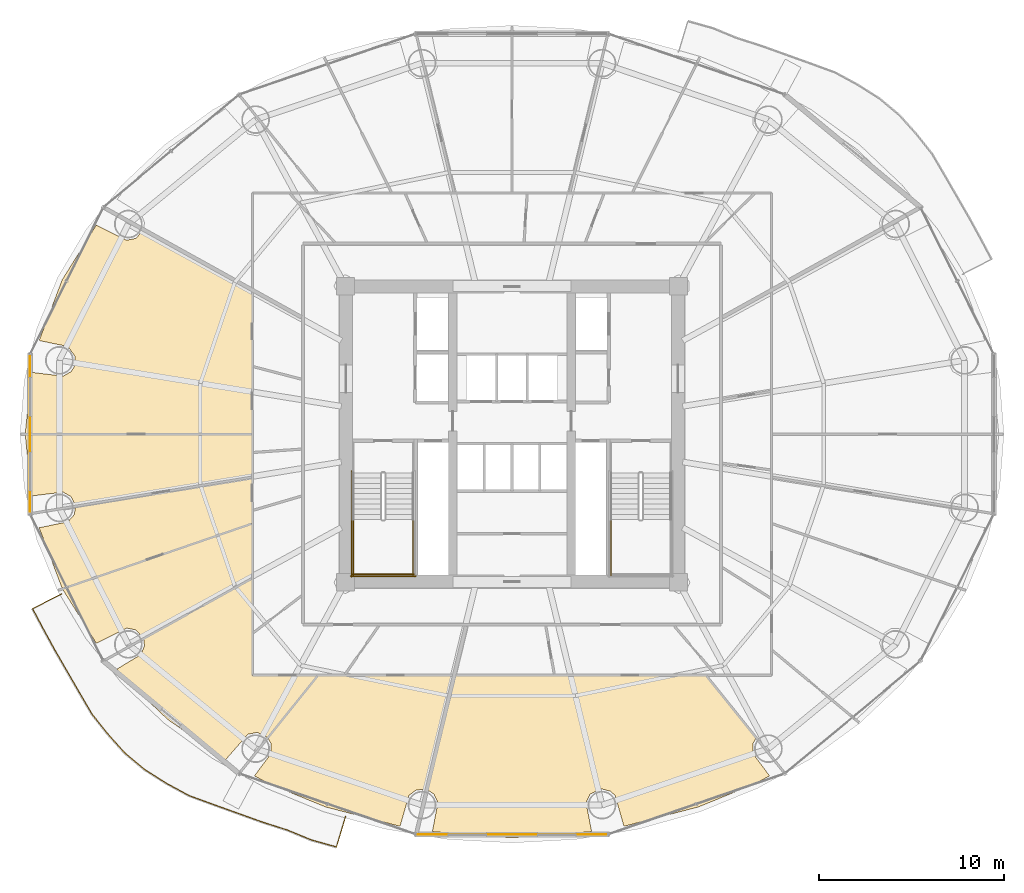
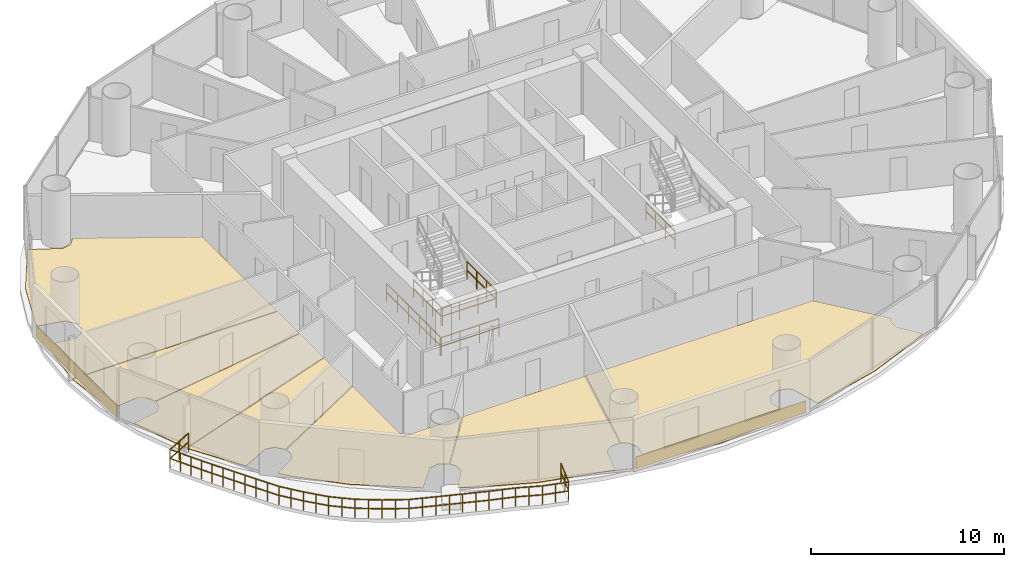
# One storey, part 26 of 29: 9 coverings, 7 railings.
"""IFC4 building model written with IfcOpenShell, lengths in metres."""

from ifc_helpers import new_model, si_unit, direction, frame, origin, origin_2d, place, context, subcontext, project, spatial, polyline, rectangle, outline, extrude, source, transform, mapped, material, layer, layer_set, type_object, element, save


model = new_model("IFC4")

# Units and contexts
model_context = context("Model", 3, precision=1e-05, world=origin(), true_north=direction((-0.2419218956, 0.970295726276)))
body_context = subcontext(model_context, "Body", "Model", "MODEL_VIEW")
ifc_project = project(units=[si_unit("LENGTHUNIT", "METRE"), si_unit("AREAUNIT", "SQUARE_METRE"), si_unit("VOLUMEUNIT", "CUBIC_METRE"), si_unit("PLANEANGLEUNIT", "RADIAN"), si_unit("MASSUNIT", "GRAM", prefix="KILO")], contexts=[model_context])

# Site, building, storey
site_placement = place(None, origin())
site = spatial("IfcSite", under=ifc_project, at=site_placement, CompositionType="ELEMENT")
building_placement = place(site_placement, origin())
building = spatial("IfcBuilding", under=site, at=building_placement, Name="Cobrevalo Terracotta Tower", CompositionType="ELEMENT")
storey_placement = place(building_placement, frame((0.0, 0.0, 94.199951171875)))
storey = spatial("IfcBuildingStorey", under=building, at=storey_placement, Name="L24", CompositionType="ELEMENT", Elevation=94.199951171875)

# Railing
ifc_material_1 = material(Name="Laminated structural glass and stainless steel", Category="steel")
railing_type_1 = type_object("IfcRailingType", Name="Balcony lobe structural glass & terracotta-cap balustrade 1180 mm", PredefinedType="BALUSTRADE", material=ifc_material_1)
railing_1_placement = place(storey_placement, frame((13.63623046875, 18.15966796875, 0.0)))
element("IfcRailing", 1, at=railing_1_placement, inside=storey, type_object=railing_type_1, Name="L24 spiralling balcony lobe balustrade 2", PredefinedType="BALUSTRADE", context=body_context, shape_type="SweptSolid", body=[
    extrude(rectangle(XDim=0.048095703125, YDim=0.048095703125, at=origin_2d()), frame((0.0, 0.0, 1.15576171875), z_axis=(-0.889626848492, -0.456688154479, 0.0), x_axis=(0.456688154479, -0.889626848492, 0.0)), (0.0, 0.0, 1.0), 1.74755859375),
    extrude(rectangle(XDim=0.048095703125, YDim=0.048095703125, at=origin_2d()), frame((0.0, 0.0, 0.58984375), z_axis=(-0.889626848492, -0.456688154479, 0.0), x_axis=(0.456688154479, -0.889626848492, 0.0)), (0.0, 0.0, 1.0), 1.74755859375),
    extrude(rectangle(XDim=0.048095703125, YDim=0.048095703125, at=origin_2d()), frame((-1.5546875, -0.798095703125, 1.15576171875), z_axis=(0.468633662304, -0.883392602729, 0.0), x_axis=(0.883392602729, 0.468633662304, 0.0)), (0.0, 0.0, 1.0), 1.27783203125),
    extrude(rectangle(XDim=0.048095703125, YDim=0.048095703125, at=origin_2d()), frame((-1.5546875, -0.798095703125, 0.58984375), z_axis=(0.468633662304, -0.883392602729, 0.0), x_axis=(0.883392602729, 0.468633662304, 0.0)), (0.0, 0.0, 1.0), 1.27783203125),
    extrude(rectangle(XDim=0.048095703125, YDim=0.048095703125, at=origin_2d()), frame((-0.955810546875, -1.927001953125, 1.15576171875), z_axis=(0.480426273641, -0.877035116512, 0.0), x_axis=(0.877035116512, 0.480426273641, 0.0)), (0.0, 0.0, 1.0), 1.28173828125),
    extrude(rectangle(XDim=0.048095703125, YDim=0.048095703125, at=origin_2d()), frame((-0.955810546875, -1.927001953125, 0.58984375), z_axis=(0.480426273641, -0.877035116512, 0.0), x_axis=(0.877035116512, 0.480426273641, 0.0)), (0.0, 0.0, 1.0), 1.28173828125),
    extrude(rectangle(XDim=0.048095703125, YDim=0.048095703125, at=origin_2d()), frame((-0.340087890625, -3.051025390625, 1.15576171875), z_axis=(0.499906209203, -0.866079547155, 0.0), x_axis=(0.866079547155, 0.499906209203, 0.0)), (0.0, 0.0, 1.0), 1.303466796875),
    extrude(rectangle(XDim=0.048095703125, YDim=0.048095703125, at=origin_2d()), frame((-0.340087890625, -3.051025390625, 0.58984375), z_axis=(0.499906209203, -0.866079547155, 0.0), x_axis=(0.866079547155, 0.499906209203, 0.0)), (0.0, 0.0, 1.0), 1.303466796875),
    extrude(rectangle(XDim=0.048095703125, YDim=0.048095703125, at=origin_2d()), frame((0.3115234375, -4.179931640625, 1.15576171875), z_axis=(0.499648403338, -0.866228303072, 0.0), x_axis=(0.866228303072, 0.499648403338, 0.0)), (0.0, 0.0, 1.0), 1.33203125),
    extrude(rectangle(XDim=0.048095703125, YDim=0.048095703125, at=origin_2d()), frame((0.3115234375, -4.179931640625, 0.58984375), z_axis=(0.499648403338, -0.866228303072, 0.0), x_axis=(0.866228303072, 0.499648403338, 0.0)), (0.0, 0.0, 1.0), 1.33203125),
    extrude(rectangle(XDim=0.048095703125, YDim=0.048095703125, at=origin_2d()), frame((0.97705078125, -5.333740234375, 1.15576171875), z_axis=(0.505608393494, -0.862763091717, 0.0), x_axis=(0.862763091717, 0.505608393494, 0.0)), (0.0, 0.0, 1.0), 1.353515625),
    extrude(rectangle(XDim=0.048095703125, YDim=0.048095703125, at=origin_2d()), frame((0.97705078125, -5.333740234375, 0.58984375), z_axis=(0.505608393494, -0.862763091717, 0.0), x_axis=(0.862763091717, 0.505608393494, 0.0)), (0.0, 0.0, 1.0), 1.353515625),
    extrude(rectangle(XDim=0.048095703125, YDim=0.048095703125, at=origin_2d()), frame((1.661376953125, -6.50146484375, 1.15576171875), z_axis=(0.621760131668, -0.783207723831, 0.0), x_axis=(0.783207723831, 0.621760131668, 0.0)), (0.0, 0.0, 1.0), 1.37158203125),
    extrude(rectangle(XDim=0.048095703125, YDim=0.048095703125, at=origin_2d()), frame((1.661376953125, -6.50146484375, 0.58984375), z_axis=(0.621760131668, -0.783207723831, 0.0), x_axis=(0.783207723831, 0.621760131668, 0.0)), (0.0, 0.0, 1.0), 1.37158203125),
    extrude(rectangle(XDim=0.048095703125, YDim=0.048095703125, at=origin_2d()), frame((2.51416015625, -7.57568359375, 1.15576171875), z_axis=(0.667758591342, -0.744377903815, 0.0), x_axis=(0.744377903815, 0.667758591342, 0.0)), (0.0, 0.0, 1.0), 1.37646484375),
    extrude(rectangle(XDim=0.048095703125, YDim=0.048095703125, at=origin_2d()), frame((2.51416015625, -7.57568359375, 0.58984375), z_axis=(0.667758591342, -0.744377903815, 0.0), x_axis=(0.744377903815, 0.667758591342, 0.0)), (0.0, 0.0, 1.0), 1.37646484375),
    extrude(rectangle(XDim=0.048095703125, YDim=0.048095703125, at=origin_2d()), frame((3.433349609375, -8.600341796875, 1.15576171875), z_axis=(0.767483730811, -0.641068422979, 0.0), x_axis=(0.641068422979, 0.767483730811, 0.0)), (0.0, 0.0, 1.0), 1.384765625),
    extrude(rectangle(XDim=0.048095703125, YDim=0.048095703125, at=origin_2d()), frame((3.433349609375, -8.600341796875, 0.58984375), z_axis=(0.767483730811, -0.641068422979, 0.0), x_axis=(0.641068422979, 0.767483730811, 0.0)), (0.0, 0.0, 1.0), 1.384765625),
    extrude(rectangle(XDim=0.048095703125, YDim=0.048095703125, at=origin_2d()), frame((4.49609375, -9.488037109375, 1.15576171875), z_axis=(0.844937299636, -0.534865365941, 0.0), x_axis=(0.534865365941, 0.844937299636, 0.0)), (0.0, 0.0, 1.0), 1.39990234375),
    extrude(rectangle(XDim=0.048095703125, YDim=0.048095703125, at=origin_2d()), frame((4.49609375, -9.488037109375, 0.58984375), z_axis=(0.844937299636, -0.534865365941, 0.0), x_axis=(0.534865365941, 0.844937299636, 0.0)), (0.0, 0.0, 1.0), 1.39990234375),
    extrude(rectangle(XDim=0.048095703125, YDim=0.048095703125, at=origin_2d()), frame((5.678955078125, -10.23681640625, 1.15576171875), z_axis=(0.878691660112, -0.477389742715, 0.0), x_axis=(0.477389742715, 0.878691660112, 0.0)), (0.0, 0.0, 1.0), 1.392578125),
    extrude(rectangle(XDim=0.048095703125, YDim=0.048095703125, at=origin_2d()), frame((5.678955078125, -10.23681640625, 0.58984375), z_axis=(0.878691660112, -0.477389742715, 0.0), x_axis=(0.477389742715, 0.878691660112, 0.0)), (0.0, 0.0, 1.0), 1.392578125),
    extrude(rectangle(XDim=0.048095703125, YDim=0.048095703125, at=origin_2d()), frame((6.902587890625, -10.901611328125, 1.15576171875), z_axis=(0.939278688067, -0.343155279929, 0.0), x_axis=(0.343155279929, 0.939278688067, 0.0)), (0.0, 0.0, 1.0), 1.42919921875),
    extrude(rectangle(XDim=0.048095703125, YDim=0.048095703125, at=origin_2d()), frame((6.902587890625, -10.901611328125, 0.58984375), z_axis=(0.939278688067, -0.343155279929, 0.0), x_axis=(0.343155279929, 0.939278688067, 0.0)), (0.0, 0.0, 1.0), 1.42919921875),
    extrude(rectangle(XDim=0.048095703125, YDim=0.048095703125, at=origin_2d()), frame((8.2451171875, -11.39208984375, 1.15576171875), z_axis=(0.941348762324, -0.337435190328, 0.0), x_axis=(0.337435190328, 0.941348762324, 0.0)), (0.0, 0.0, 1.0), 1.4072265625),
    extrude(rectangle(XDim=0.048095703125, YDim=0.048095703125, at=origin_2d()), frame((8.2451171875, -11.39208984375, 0.58984375), z_axis=(0.941348762324, -0.337435190328, 0.0), x_axis=(0.337435190328, 0.941348762324, 0.0)), (0.0, 0.0, 1.0), 1.4072265625),
    extrude(rectangle(XDim=0.048095703125, YDim=0.048095703125, at=origin_2d()), frame((9.56982421875, -11.866943359375, 1.15576171875), z_axis=(0.94136976896, -0.337376582009, 0.0), x_axis=(0.337376582009, 0.94136976896, 0.0)), (0.0, 0.0, 1.0), 1.3974609375),
    extrude(rectangle(XDim=0.048095703125, YDim=0.048095703125, at=origin_2d()), frame((9.56982421875, -11.866943359375, 0.58984375), z_axis=(0.94136976896, -0.337376582009, 0.0), x_axis=(0.337376582009, 0.94136976896, 0.0)), (0.0, 0.0, 1.0), 1.3974609375),
    extrude(rectangle(XDim=0.048095703125, YDim=0.048095703125, at=origin_2d()), frame((10.88525390625, -12.33837890625, 1.15576171875), z_axis=(0.952605632401, -0.304208003048, 0.0), x_axis=(0.304208003048, 0.952605632401, 0.0)), (0.0, 0.0, 1.0), 1.404541015625),
    extrude(rectangle(XDim=0.048095703125, YDim=0.048095703125, at=origin_2d()), frame((10.88525390625, -12.33837890625, 0.58984375), z_axis=(0.952605632401, -0.304208003048, 0.0), x_axis=(0.304208003048, 0.952605632401, 0.0)), (0.0, 0.0, 1.0), 1.404541015625),
    extrude(rectangle(XDim=0.048095703125, YDim=0.048095703125, at=origin_2d()), frame((12.22314453125, -12.765625, 1.15576171875), z_axis=(0.92446405432, -0.381269212329, 0.0), x_axis=(0.381269212329, 0.92446405432, 0.0)), (0.0, 0.0, 1.0), 1.39453125),
    extrude(rectangle(XDim=0.048095703125, YDim=0.048095703125, at=origin_2d()), frame((12.22314453125, -12.765625, 0.58984375), z_axis=(0.92446405432, -0.381269212329, 0.0), x_axis=(0.381269212329, 0.92446405432, 0.0)), (0.0, 0.0, 1.0), 1.39453125),
    extrude(rectangle(XDim=0.048095703125, YDim=0.048095703125, at=origin_2d()), frame((13.512451171875, -13.29736328125, 1.15576171875), z_axis=(0.963075353332, -0.269231988822, 0.0), x_axis=(0.269231988822, 0.963075353332, 0.0)), (0.0, 0.0, 1.0), 1.410888671875),
    extrude(rectangle(XDim=0.048095703125, YDim=0.048095703125, at=origin_2d()), frame((13.512451171875, -13.29736328125, 0.58984375), z_axis=(0.963075353332, -0.269231988822, 0.0), x_axis=(0.269231988822, 0.963075353332, 0.0)), (0.0, 0.0, 1.0), 1.410888671875),
    extrude(rectangle(XDim=0.048095703125, YDim=0.048095703125, at=origin_2d()), frame((14.871337890625, -13.67724609375, 1.15576171875), z_axis=(0.288046300776, 0.95761648305, 0.0), x_axis=(-0.95761648305, 0.288046300776, 0.0)), (0.0, 0.0, 1.0), 1.731689453125),
    extrude(rectangle(XDim=0.048095703125, YDim=0.048095703125, at=origin_2d()), frame((14.871337890625, -13.67724609375, 0.58984375), z_axis=(0.288046300776, 0.95761648305, 0.0), x_axis=(-0.95761648305, 0.288046300776, 0.0)), (0.0, 0.0, 1.0), 1.731689453125),
    extrude(rectangle(XDim=0.0419921875, YDim=0.0419921875, at=origin_2d()), origin(), (0.0, 0.0, 1.0), 1.1318359375),
    extrude(rectangle(XDim=0.0419921875, YDim=0.0419921875, at=origin_2d()), frame((-0.77734375, -0.39892578125, 0.0)), (0.0, 0.0, 1.0), 1.1318359375),
    extrude(rectangle(XDim=0.0419921875, YDim=0.0419921875, at=origin_2d()), frame((-1.5546875, -0.798095703125, 0.0)), (0.0, 0.0, 1.0), 1.1318359375),
    extrude(rectangle(XDim=0.0419921875, YDim=0.0419921875, at=origin_2d()), frame((-1.25537109375, -1.362548828125, 0.0)), (0.0, 0.0, 1.0), 1.1318359375),
    extrude(rectangle(XDim=0.0419921875, YDim=0.0419921875, at=origin_2d()), frame((-0.955810546875, -1.927001953125, 0.0)), (0.0, 0.0, 1.0), 1.1318359375),
    extrude(rectangle(XDim=0.0419921875, YDim=0.0419921875, at=origin_2d()), frame((-0.64794921875, -2.489013671875, 0.0)), (0.0, 0.0, 1.0), 1.1318359375),
    extrude(rectangle(XDim=0.0419921875, YDim=0.0419921875, at=origin_2d()), frame((-0.340087890625, -3.051025390625, 0.0)), (0.0, 0.0, 1.0), 1.1318359375),
    extrude(rectangle(XDim=0.0419921875, YDim=0.0419921875, at=origin_2d()), frame((-0.01416015625, -3.615478515625, 0.0)), (0.0, 0.0, 1.0), 1.1318359375),
    extrude(rectangle(XDim=0.0419921875, YDim=0.0419921875, at=origin_2d()), frame((0.3115234375, -4.179931640625, 0.0)), (0.0, 0.0, 1.0), 1.1318359375),
    extrude(rectangle(XDim=0.0419921875, YDim=0.0419921875, at=origin_2d()), frame((0.644287109375, -4.7568359375, 0.0)), (0.0, 0.0, 1.0), 1.1318359375),
    extrude(rectangle(XDim=0.0419921875, YDim=0.0419921875, at=origin_2d()), frame((0.97705078125, -5.333740234375, 0.0)), (0.0, 0.0, 1.0), 1.1318359375),
    extrude(rectangle(XDim=0.0419921875, YDim=0.0419921875, at=origin_2d()), frame((1.3193359375, -5.91748046875, 0.0)), (0.0, 0.0, 1.0), 1.1318359375),
    extrude(rectangle(XDim=0.0419921875, YDim=0.0419921875, at=origin_2d()), frame((1.661376953125, -6.50146484375, 0.0)), (0.0, 0.0, 1.0), 1.1318359375),
    extrude(rectangle(XDim=0.0419921875, YDim=0.0419921875, at=origin_2d()), frame((2.087890625, -7.03857421875, 0.0)), (0.0, 0.0, 1.0), 1.1318359375),
    extrude(rectangle(XDim=0.0419921875, YDim=0.0419921875, at=origin_2d()), frame((2.51416015625, -7.57568359375, 0.0)), (0.0, 0.0, 1.0), 1.1318359375),
    extrude(rectangle(XDim=0.0419921875, YDim=0.0419921875, at=origin_2d()), frame((2.9736328125, -8.087890625, 0.0)), (0.0, 0.0, 1.0), 1.1318359375),
    extrude(rectangle(XDim=0.0419921875, YDim=0.0419921875, at=origin_2d()), frame((3.433349609375, -8.600341796875, 0.0)), (0.0, 0.0, 1.0), 1.1318359375),
    extrude(rectangle(XDim=0.0419921875, YDim=0.0419921875, at=origin_2d()), frame((3.96484375, -9.044189453125, 0.0)), (0.0, 0.0, 1.0), 1.1318359375),
    extrude(rectangle(XDim=0.0419921875, YDim=0.0419921875, at=origin_2d()), frame((4.49609375, -9.488037109375, 0.0)), (0.0, 0.0, 1.0), 1.1318359375),
    extrude(rectangle(XDim=0.0419921875, YDim=0.0419921875, at=origin_2d()), frame((5.08740234375, -9.8623046875, 0.0)), (0.0, 0.0, 1.0), 1.1318359375),
    extrude(rectangle(XDim=0.0419921875, YDim=0.0419921875, at=origin_2d()), frame((5.678955078125, -10.23681640625, 0.0)), (0.0, 0.0, 1.0), 1.1318359375),
    extrude(rectangle(XDim=0.0419921875, YDim=0.0419921875, at=origin_2d()), frame((6.290771484375, -10.5693359375, 0.0)), (0.0, 0.0, 1.0), 1.1318359375),
    extrude(rectangle(XDim=0.0419921875, YDim=0.0419921875, at=origin_2d()), frame((6.902587890625, -10.901611328125, 0.0)), (0.0, 0.0, 1.0), 1.1318359375),
    extrude(rectangle(XDim=0.0419921875, YDim=0.0419921875, at=origin_2d()), frame((7.57373046875, -11.14697265625, 0.0)), (0.0, 0.0, 1.0), 1.1318359375),
    extrude(rectangle(XDim=0.0419921875, YDim=0.0419921875, at=origin_2d()), frame((8.2451171875, -11.39208984375, 0.0)), (0.0, 0.0, 1.0), 1.1318359375),
    extrude(rectangle(XDim=0.0419921875, YDim=0.0419921875, at=origin_2d()), frame((8.907470703125, -11.62939453125, 0.0)), (0.0, 0.0, 1.0), 1.1318359375),
    extrude(rectangle(XDim=0.0419921875, YDim=0.0419921875, at=origin_2d()), frame((9.56982421875, -11.866943359375, 0.0)), (0.0, 0.0, 1.0), 1.1318359375),
    extrude(rectangle(XDim=0.0419921875, YDim=0.0419921875, at=origin_2d()), frame((10.2275390625, -12.1025390625, 0.0)), (0.0, 0.0, 1.0), 1.1318359375),
    extrude(rectangle(XDim=0.0419921875, YDim=0.0419921875, at=origin_2d()), frame((10.88525390625, -12.33837890625, 0.0)), (0.0, 0.0, 1.0), 1.1318359375),
    extrude(rectangle(XDim=0.0419921875, YDim=0.0419921875, at=origin_2d()), frame((11.55419921875, -12.552001953125, 0.0)), (0.0, 0.0, 1.0), 1.1318359375),
    extrude(rectangle(XDim=0.0419921875, YDim=0.0419921875, at=origin_2d()), frame((12.22314453125, -12.765625, 0.0)), (0.0, 0.0, 1.0), 1.1318359375),
    extrude(rectangle(XDim=0.0419921875, YDim=0.0419921875, at=origin_2d()), frame((12.86767578125, -13.031494140625, 0.0)), (0.0, 0.0, 1.0), 1.1318359375),
    extrude(rectangle(XDim=0.0419921875, YDim=0.0419921875, at=origin_2d()), frame((13.512451171875, -13.29736328125, 0.0)), (0.0, 0.0, 1.0), 1.1318359375),
    extrude(rectangle(XDim=0.0419921875, YDim=0.0419921875, at=origin_2d()), frame((14.19189453125, -13.4873046875, 0.0)), (0.0, 0.0, 1.0), 1.1318359375),
    extrude(rectangle(XDim=0.0419921875, YDim=0.0419921875, at=origin_2d()), frame((14.871337890625, -13.67724609375, 0.0)), (0.0, 0.0, 1.0), 1.1318359375),
    extrude(rectangle(XDim=0.0419921875, YDim=0.0419921875, at=origin_2d()), frame((15.12060546875, -12.84814453125, 0.0)), (0.0, 0.0, 1.0), 1.1318359375),
    extrude(rectangle(XDim=0.0419921875, YDim=0.0419921875, at=origin_2d()), frame((15.3701171875, -12.01904296875, 0.0)), (0.0, 0.0, 1.0), 1.1318359375),
])

# Coverings
ifc_material_2 = material(Name="Engineered Brazilian hardwood flooring", Category="wood")
ifc_layer_1 = layer(ifc_material_2, 0.028076171875)
ifc_layer_set_1 = layer_set([ifc_layer_1], Name="Engineered Brazilian hardwood flooring")
covering_type_1 = type_object("IfcCoveringType", Name="Engineered Hardwood Suite Flooring 28", PredefinedType="FLOORING", material=ifc_layer_set_1)
covering_1_placement = place(storey_placement, origin())
element("IfcCovering", 2, at=covering_1_placement, inside=storey, type_object=covering_type_1, Name="Flat L24B Penthouse Living and Dining Room floor finish", PredefinedType="FLOORING", context=body_context, shape_type="SweptSolid", body=[
    extrude(outline(polyline([(12.024169921875, 30.143310546875), (13.73095703125, 29.932861328125), (14.1728515625, 30.189208984375), (14.353759765625, 30.481201171875), (14.38623046875, 30.9912109375), (13.99267578125, 31.537841796875), (12.435791015625, 31.859619140625), (13.682861328125, 35.14892578125), (15.525146484375, 38.10546875), (17.15966796875, 37.286376953125), (17.661865234375, 37.381103515625), (18.0703125, 37.8408203125), (23.945068359375, 34.57958984375), (23.945068359375, 26.820068359375), (11.681640625, 26.820068359375), (12.024169921875, 30.143310546875)])), origin(), (0.0, 0.0, 1.0), 0.030029296875),
])
covering_2_placement = place(storey_placement, origin())
element("IfcCovering", 3, at=covering_2_placement, inside=storey, type_object=covering_type_1, Name="Flat L24B Master Bedroom floor finish", PredefinedType="FLOORING", context=body_context, shape_type="SweptSolid", body=[
    extrude(outline(polyline([(11.681640625, 26.780029296875), (23.945068359375, 26.780029296875), (23.945068359375, 24.49755859375), (14.39697265625, 22.919677734375), (14.1728515625, 23.41064453125), (13.73095703125, 23.6669921875), (12.024169921875, 23.45654296875), (11.681640625, 26.780029296875)])), origin(), (0.0, 0.0, 1.0), 0.030029296875),
])
covering_3_placement = place(storey_placement, origin())
element("IfcCovering", 4, at=covering_3_placement, inside=storey, type_object=covering_type_1, Name="Flat L24B Principal Guest Bedroom floor finish", PredefinedType="FLOORING", context=body_context, shape_type="SweptSolid", body=[
    extrude(outline(polyline([(13.6845703125, 18.453369140625), (12.435791015625, 21.740478515625), (13.99267578125, 22.06201171875), (14.330322265625, 22.445556640625), (14.402587890625, 22.8798828125), (23.945068359375, 24.45703125), (23.945068359375, 21.984375), (13.6845703125, 18.453369140625)])), origin(), (0.0, 0.0, 1.0), 0.030029296875),
])
covering_4_placement = place(storey_placement, origin())
element("IfcCovering", 5, at=covering_4_placement, inside=storey, type_object=covering_type_1, Name="Flat L24B North Bedroom floor finish", PredefinedType="FLOORING", context=body_context, shape_type="SweptSolid", body=[
    extrude(outline(polyline([(13.703125, 18.417236328125), (23.945068359375, 21.94189453125), (23.945068359375, 19.020263671875), (18.0703125, 15.759033203125), (17.661865234375, 16.218994140625), (17.15966796875, 16.3134765625), (15.525146484375, 15.49462890625), (13.703125, 18.417236328125)])), origin(), (0.0, 0.0, 1.0), 0.030029296875),
])
covering_5_placement = place(storey_placement, origin())
element("IfcCovering", 6, at=covering_5_placement, inside=storey, type_object=covering_type_1, Name="Flat L24B Penthouse Family Lounge floor finish", PredefinedType="FLOORING", context=body_context, shape_type="SweptSolid", body=[
    extrude(outline(polyline([(19.3876953125, 11.372314453125), (17.117919921875, 13.518310546875), (16.64697265625, 14.102294921875), (17.94091796875, 14.88720703125), (18.131591796875, 15.361328125), (18.083740234375, 15.720703125), (23.945068359375, 18.974609375), (23.945068359375, 13.7451171875), (27.47509765625, 13.7451171875), (24.780029296875, 10.393798828125), (24.221923828125, 10.672607421875), (23.72119140625, 10.5712890625), (22.511474609375, 9.193359375), (19.3876953125, 11.372314453125)])), origin(), (0.0, 0.0, 1.0), 0.030029296875),
])
covering_6_placement = place(storey_placement, origin())
element("IfcCovering", 7, at=covering_6_placement, inside=storey, type_object=covering_type_1, Name="Flat L24B Penthouse Family Lounge floor finish", PredefinedType="FLOORING", context=body_context, shape_type="SweptSolid", body=[
    extrude(outline(polyline([(24.07568359375, 8.32666015625), (24.9814453125, 9.543701171875), (24.97998046875, 10.0546875), (24.806640625, 10.36328125), (27.5263671875, 13.7451171875), (34.853759765625, 13.7451171875), (33.37890625, 7.584716796875), (32.829833984375, 7.5693359375), (32.421875, 7.261962890625), (31.94921875, 5.59814453125), (27.926513671875, 6.641357421875), (24.838623046875, 7.904052734375), (24.07568359375, 8.32666015625)])), origin(), (0.0, 0.0, 1.0), 0.030029296875),
])
covering_7_placement = place(storey_placement, origin())
element("IfcCovering", 8, at=covering_7_placement, inside=storey, type_object=covering_type_1, Name="Flat L24C Penthouse Living and Dining Room floor finish", PredefinedType="FLOORING", context=body_context, shape_type="SweptSolid", body=[
    extrude(outline(polyline([(48.073486328125, 6.641357421875), (44.05078125, 5.59814453125), (43.578125, 7.261962890625), (43.325439453125, 7.494384765625), (42.830810546875, 7.622314453125), (42.2197265625, 7.3388671875), (41.997802734375, 6.87841796875), (42.3095703125, 5.310791015625), (38.0, 4.97998046875), (33.6904296875, 5.310791015625), (34.002197265625, 6.87841796875), (33.7802734375, 7.3388671875), (33.4169921875, 7.5712890625), (34.89501953125, 13.7451171875), (48.4736328125, 13.7451171875), (51.193359375, 10.36328125), (51.02001953125, 10.0546875), (51.0185546875, 9.543701171875), (51.92431640625, 8.32666015625), (51.161376953125, 7.904052734375), (48.073486328125, 6.641357421875)])), origin(), (0.0, 0.0, 1.0), 0.030029296875),
])

# Railings
ifc_material_3 = material(Name="Painted galvanized steel", Category="steel")
railing_type_2 = type_object("IfcRailingType", Name="Stair Well Guard Balustrade 1150", PredefinedType="GUARDRAIL", material=ifc_material_3)
for number, where, name in (
    (9, (29.425048828125, 22.179931640625, 1.800048828125), "L24 ST-1 stair guard 3"),
    (10, (32.64501953125, 22.179931640625, 1.800048828125), "L24 ST-1 stair guard 4"),
):
    element("IfcRailing", number, at=place(storey_placement, frame(where)), inside=storey, type_object=railing_type_2, Name=name, PredefinedType="GUARDRAIL", context=body_context, shape_type="SweptSolid", body=[
        extrude(rectangle(XDim=0.048095703125, YDim=0.048095703125, at=origin_2d()), frame((0.0, 0.0, 1.1259765625), z_axis=(0.0, -1.0, 0.0), x_axis=(1.0, 0.0, 0.0)), (0.0, 0.0, 1.0), 3.0048828125),
        extrude(rectangle(XDim=0.048095703125, YDim=0.048095703125, at=origin_2d()), frame((0.0, 0.0, 0.574951171875), z_axis=(0.0, -1.0, 0.0), x_axis=(1.0, 0.0, 0.0)), (0.0, 0.0, 1.0), 3.0048828125),
        extrude(rectangle(XDim=0.0419921875, YDim=0.0419921875, at=origin_2d()), origin(), (0.0, 0.0, 1.0), 1.101806640625),
        extrude(rectangle(XDim=0.0419921875, YDim=0.0419921875, at=origin_2d()), frame((0.0, -1.001708984375, 0.0)), (0.0, 0.0, 1.0), 1.101806640625),
        extrude(rectangle(XDim=0.0419921875, YDim=0.0419921875, at=origin_2d()), frame((0.0, -2.003173828125, 0.0)), (0.0, 0.0, 1.0), 1.101806640625),
        extrude(rectangle(XDim=0.0419921875, YDim=0.0419921875, at=origin_2d()), frame((0.0, -3.0048828125, 0.0)), (0.0, 0.0, 1.0), 1.101806640625),
    ])
railing_2_placement = place(storey_placement, frame((29.375, 19.22509765625, 1.800048828125)))
element("IfcRailing", 11, at=railing_2_placement, inside=storey, type_object=railing_type_2, Name="L24 ST-1 stair guard 5", PredefinedType="GUARDRAIL", context=body_context, shape_type="SweptSolid", body=[
    extrude(rectangle(XDim=0.048095703125, YDim=0.048095703125, at=origin_2d()), frame((0.0, 0.0, 1.1259765625), z_axis=(1.0, 0.0, 0.0), x_axis=(0.0, 1.0, 0.0)), (0.0, 0.0, 1.0), 3.320068359375),
    extrude(rectangle(XDim=0.048095703125, YDim=0.048095703125, at=origin_2d()), frame((0.0, 0.0, 0.574951171875), z_axis=(1.0, 0.0, 0.0), x_axis=(0.0, 1.0, 0.0)), (0.0, 0.0, 1.0), 3.320068359375),
    extrude(rectangle(XDim=0.0419921875, YDim=0.0419921875, at=origin_2d()), origin(), (0.0, 0.0, 1.0), 1.101806640625),
    extrude(rectangle(XDim=0.0419921875, YDim=0.0419921875, at=origin_2d()), frame((1.106689453125, 0.0, 0.0)), (0.0, 0.0, 1.0), 1.101806640625),
    extrude(rectangle(XDim=0.0419921875, YDim=0.0419921875, at=origin_2d()), frame((2.21337890625, 0.0, 0.0)), (0.0, 0.0, 1.0), 1.101806640625),
    extrude(rectangle(XDim=0.0419921875, YDim=0.0419921875, at=origin_2d()), frame((3.320068359375, 0.0, 0.0)), (0.0, 0.0, 1.0), 1.101806640625),
])
railing_3_placement = place(storey_placement, frame((29.324951171875, 24.800048828125, 0.0)))
element("IfcRailing", 12, at=railing_3_placement, inside=storey, type_object=railing_type_2, Name="L24 ST-1 stair guard 10", PredefinedType="GUARDRAIL", context=body_context, shape_type="SweptSolid", body=[
    extrude(rectangle(XDim=0.048095703125, YDim=0.048095703125, at=origin_2d()), frame((0.0, 0.0, 1.1259765625), z_axis=(0.0, -1.0, 0.0), x_axis=(1.0, 0.0, 0.0)), (0.0, 0.0, 1.0), 5.72509765625),
    extrude(rectangle(XDim=0.048095703125, YDim=0.048095703125, at=origin_2d()), frame((0.0, 0.0, 0.574951171875), z_axis=(0.0, -1.0, 0.0), x_axis=(1.0, 0.0, 0.0)), (0.0, 0.0, 1.0), 5.72509765625),
    extrude(rectangle(XDim=0.0419921875, YDim=0.0419921875, at=origin_2d()), origin(), (0.0, 0.0, 1.0), 1.101806640625),
    extrude(rectangle(XDim=0.0419921875, YDim=0.0419921875, at=origin_2d()), frame((0.0, -1.14501953125, 0.0)), (0.0, 0.0, 1.0), 1.101806640625),
    extrude(rectangle(XDim=0.0419921875, YDim=0.0419921875, at=origin_2d()), frame((0.0, -2.2900390625, 0.0)), (0.0, 0.0, 1.0), 1.101806640625),
    extrude(rectangle(XDim=0.0419921875, YDim=0.0419921875, at=origin_2d()), frame((0.0, -3.43505859375, 0.0)), (0.0, 0.0, 1.0), 1.101806640625),
    extrude(rectangle(XDim=0.0419921875, YDim=0.0419921875, at=origin_2d()), frame((0.0, -4.580078125, 0.0)), (0.0, 0.0, 1.0), 1.101806640625),
    extrude(rectangle(XDim=0.0419921875, YDim=0.0419921875, at=origin_2d()), frame((0.0, -5.72509765625, 0.0)), (0.0, 0.0, 1.0), 1.101806640625),
])
railing_4_placement = place(storey_placement, frame((29.27490234375, 19.125, 0.0)))
element("IfcRailing", 13, at=railing_4_placement, inside=storey, type_object=railing_type_2, Name="L24 ST-1 stair guard 12", PredefinedType="GUARDRAIL", context=body_context, shape_type="SweptSolid", body=[
    extrude(rectangle(XDim=0.048095703125, YDim=0.048095703125, at=origin_2d()), frame((0.0, 0.0, 1.1259765625), z_axis=(1.0, 0.0, 0.0), x_axis=(0.0, 1.0, 0.0)), (0.0, 0.0, 1.0), 3.52001953125),
    extrude(rectangle(XDim=0.048095703125, YDim=0.048095703125, at=origin_2d()), frame((0.0, 0.0, 0.574951171875), z_axis=(1.0, 0.0, 0.0), x_axis=(0.0, 1.0, 0.0)), (0.0, 0.0, 1.0), 3.52001953125),
    extrude(rectangle(XDim=0.0419921875, YDim=0.0419921875, at=origin_2d()), origin(), (0.0, 0.0, 1.0), 1.101806640625),
    extrude(rectangle(XDim=0.0419921875, YDim=0.0419921875, at=origin_2d()), frame((1.17333984375, 0.0, 0.0)), (0.0, 0.0, 1.0), 1.101806640625),
    extrude(rectangle(XDim=0.0419921875, YDim=0.0419921875, at=origin_2d()), frame((2.3466796875, 0.0, 0.0)), (0.0, 0.0, 1.0), 1.101806640625),
    extrude(rectangle(XDim=0.0419921875, YDim=0.0419921875, at=origin_2d()), frame((3.52001953125, 0.0, 0.0)), (0.0, 0.0, 1.0), 1.101806640625),
])
railing_5_placement = place(storey_placement, frame((43.35498046875, 22.179931640625, 1.800048828125)))
element("IfcRailing", 14, at=railing_5_placement, inside=storey, type_object=railing_type_2, Name="L24 ST-2 stair guard 3", PredefinedType="GUARDRAIL", context=body_context, shape_type="SweptSolid", body=[
    extrude(rectangle(XDim=0.048095703125, YDim=0.048095703125, at=origin_2d()), frame((0.0, 0.0, 1.1259765625), z_axis=(0.0, -1.0, 0.0), x_axis=(1.0, 0.0, 0.0)), (0.0, 0.0, 1.0), 3.0048828125),
    extrude(rectangle(XDim=0.048095703125, YDim=0.048095703125, at=origin_2d()), frame((0.0, 0.0, 0.574951171875), z_axis=(0.0, -1.0, 0.0), x_axis=(1.0, 0.0, 0.0)), (0.0, 0.0, 1.0), 3.0048828125),
    extrude(rectangle(XDim=0.0419921875, YDim=0.0419921875, at=origin_2d()), origin(), (0.0, 0.0, 1.0), 1.101806640625),
    extrude(rectangle(XDim=0.0419921875, YDim=0.0419921875, at=origin_2d()), frame((0.0, -1.001708984375, 0.0)), (0.0, 0.0, 1.0), 1.101806640625),
    extrude(rectangle(XDim=0.0419921875, YDim=0.0419921875, at=origin_2d()), frame((0.0, -2.003173828125, 0.0)), (0.0, 0.0, 1.0), 1.101806640625),
    extrude(rectangle(XDim=0.0419921875, YDim=0.0419921875, at=origin_2d()), frame((0.0, -3.0048828125, 0.0)), (0.0, 0.0, 1.0), 1.101806640625),
])

# Coverings
ifc_material_4 = material(Name="Glazed terracotta facade cladding tile", Category="masonry")
ifc_layer_2 = layer(ifc_material_4, 0.044921875)
ifc_layer_set_2 = layer_set([ifc_layer_2], Name="Glazed terracotta facade cladding tile")
covering_type_2 = type_object("IfcCoveringType", Name="Architectural terracotta rainscreen spandrel cladding 45 mm", PredefinedType="CLADDING", material=ifc_layer_set_2)
shared_shape_1 = source(origin(), body_context, "Body", "SweptSolid", [
    extrude(rectangle(XDim=10.1669921875, YDim=0.044921875, at=origin_2d()), origin(), (0.0, 0.0, 1.0), 0.760009765625),
])
covering_8_placement = place(storey_placement, frame((38.0, 5.154052734375, 0.0400390625), z_axis=(0.0, 0.0, 1.0), x_axis=(1.0, 0.0, 0.0)))
element("IfcCovering", 15, at=covering_8_placement, inside=storey, type_object=covering_type_2, Name="L24 terracotta spandrel cladding S12", PredefinedType="CLADDING", context=body_context, shape_type="MappedRepresentation", body=[
    mapped(shared_shape_1, transform((0.0, 0.0, 0.0), scale=1.0)),
])
shared_shape_2 = source(origin(), body_context, "Body", "SweptSolid", [
    extrude(rectangle(XDim=8.411376953125, YDim=0.044921875, at=origin_2d()), origin(), (0.0, 0.0, 1.0), 0.760009765625),
])
covering_9_placement = place(storey_placement, frame((11.9404296875, 26.800048828125, 0.0400390625), z_axis=(0.0, 0.0, 1.0), x_axis=(0.0, -1.0, 0.0)))
element("IfcCovering", 16, at=covering_9_placement, inside=storey, type_object=covering_type_2, Name="L24 terracotta spandrel cladding S08", PredefinedType="CLADDING", context=body_context, shape_type="MappedRepresentation", body=[
    mapped(shared_shape_2, transform((0.0, 0.0, 0.0), scale=1.0)),
])

save(model, "model.ifc")
